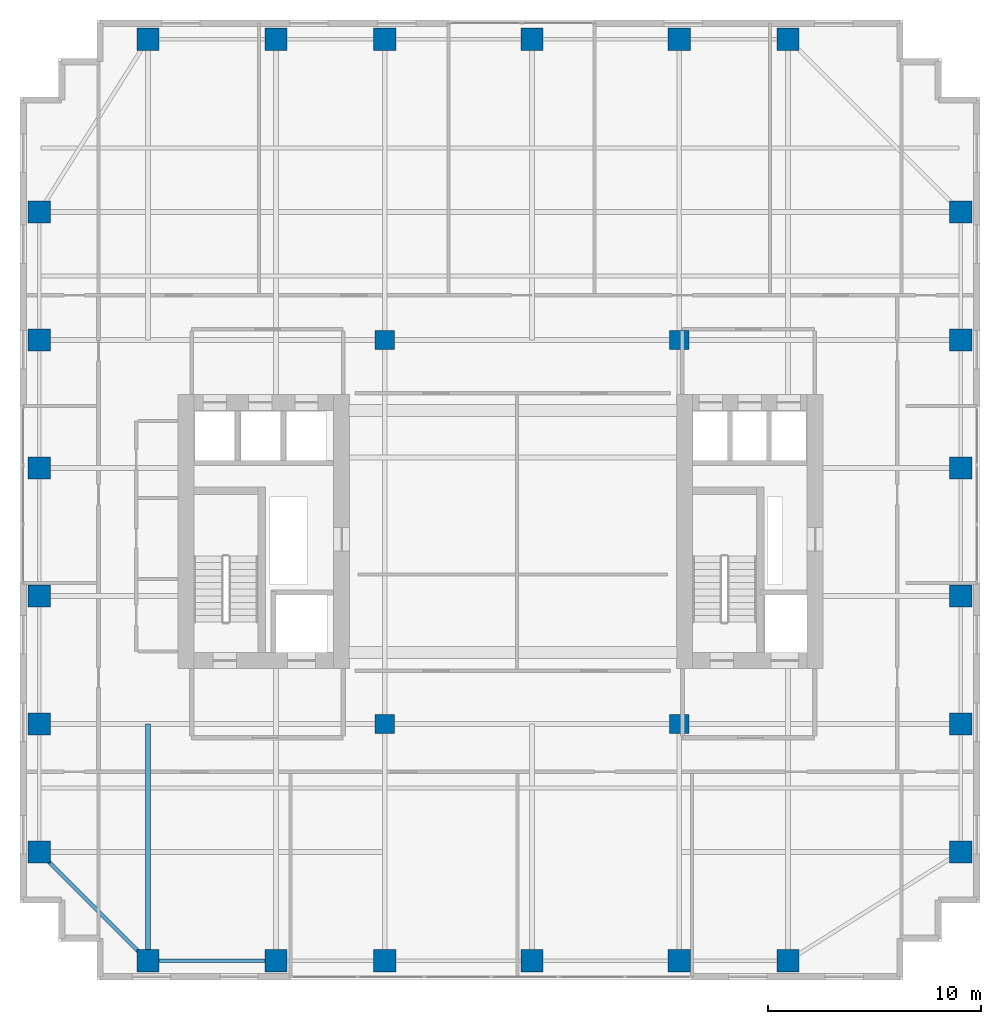
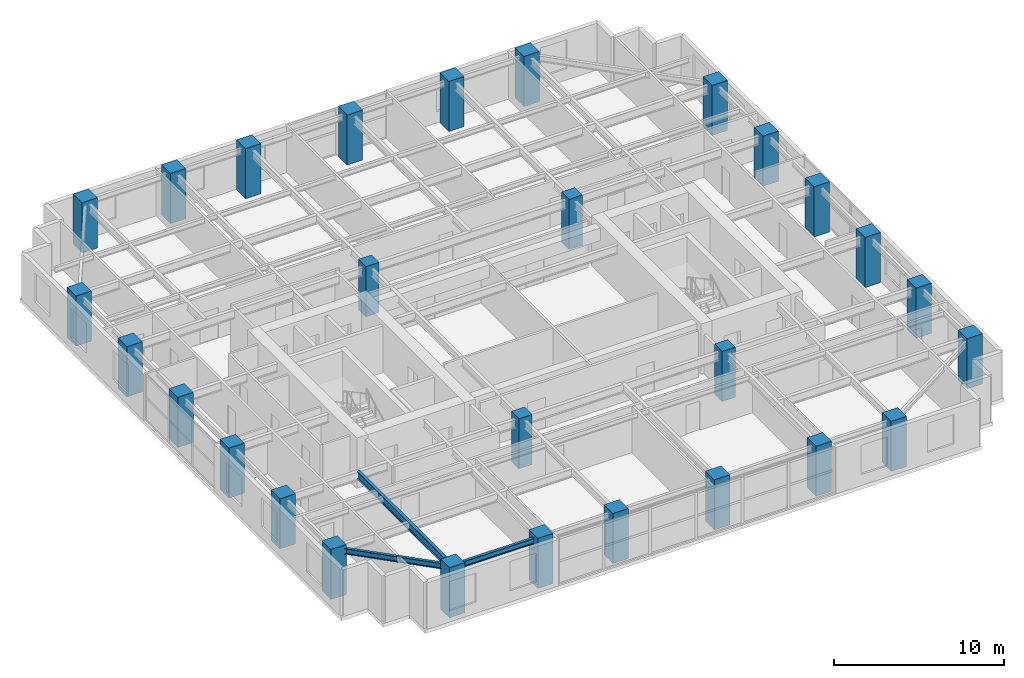
# One storey, part 1 of 18: 28 columns, 3 beams.
"""IFC4 building model written with IfcOpenShell, lengths in metres."""

from ifc_helpers import new_model, si_unit, direction, frame, origin, origin_2d, place, context, subcontext, project, spatial, rectangle, i_section, extrude, source, transform, mapped, material, material_profile, profile_set, type_object, element, save


model = new_model("IFC4")

# Units and contexts
model_context = context("Model", 3, precision=1e-05, world=origin(), true_north=direction((0.0, 1.0)))
body_context = subcontext(model_context, "Body", "Model", "MODEL_VIEW")
ifc_project = project(units=[si_unit("LENGTHUNIT", "METRE"), si_unit("AREAUNIT", "SQUARE_METRE"), si_unit("VOLUMEUNIT", "CUBIC_METRE"), si_unit("PLANEANGLEUNIT", "RADIAN"), si_unit("MASSUNIT", "GRAM", prefix="KILO")], contexts=[model_context])

# Site, building, storey
site_placement = place(None, origin())
site = spatial("IfcSite", under=ifc_project, at=site_placement, CompositionType="ELEMENT")
building_placement = place(site_placement, origin())
building = spatial("IfcBuilding", under=site, at=building_placement, Name="Khoralis Quay Care Tower", CompositionType="ELEMENT")
storey_placement = place(building_placement, frame((0.0, 0.0, 130.5)))
storey = spatial("IfcBuildingStorey", under=building, at=storey_placement, Name="L34", CompositionType="ELEMENT", Elevation=130.5)

# Columns
ifc_material_1 = material(Name="Concrete C65/80", Category="concrete")
ifc_material_profile_1 = material_profile(ifc_material_1, rectangle(XDim=1.050048828125, YDim=1.050048828125, at=origin_2d()), Name="Concrete C65/80")
ifc_profile_set_1 = profile_set([ifc_material_profile_1], Name="Concrete C65/80")
column_type_1 = type_object("IfcColumnType", Name="COL-C1050", PredefinedType="COLUMN", material=ifc_profile_set_1)
shared_shape_1 = source(origin(), body_context, "Body", "SweptSolid", [
    extrude(rectangle(XDim=1.050048828125, YDim=1.050048828125, at=origin_2d()), origin(), (0.0, 0.0, 1.0), 3.60009765625),
])
for number, where, z_axis, x_axis, name in (
    (1, (6.0, 0.89990234375, 0.0), (0.0, 0.0, 1.0), (1.0, 0.0, 0.0), "COL-TWR-L34-01"),
    (2, (6.0, 44.10009765625, 0.0), (0.0, 0.0, 1.0), (1.0, 0.0, 0.0), "COL-TWR-L34-02"),
    (3, (12.0, 0.89990234375, 0.0), (0.0, 0.0, 1.0), (1.0, 0.0, 0.0), "COL-TWR-L34-03"),
    (4, (12.0, 44.10009765625, 0.0), (0.0, 0.0, 1.0), (1.0, 0.0, 0.0), "COL-TWR-L34-04"),
    (5, (17.10009765625, 0.89990234375, 0.0), (0.0, 0.0, 1.0), (1.0, 0.0, 0.0), "COL-TWR-L34-05"),
    (6, (17.10009765625, 44.10009765625, 0.0), (0.0, 0.0, 1.0), (1.0, 0.0, 0.0), "COL-TWR-L34-06"),
    (7, (24.0, 0.89990234375, 0.0), (0.0, 0.0, 1.0), (1.0, 0.0, 0.0), "COL-TWR-L34-07"),
    (8, (24.0, 44.10009765625, 0.0), (0.0, 0.0, 1.0), (1.0, 0.0, 0.0), "COL-TWR-L34-08"),
    (9, (30.89990234375, 0.89990234375, 0.0), (0.0, 0.0, 1.0), (1.0, 0.0, 0.0), "COL-TWR-L34-09"),
    (10, (30.89990234375, 44.10009765625, 0.0), (0.0, 0.0, 1.0), (1.0, 0.0, 0.0), "COL-TWR-L34-10"),
    (11, (36.0, 0.89990234375, 0.0), (0.0, 0.0, 1.0), (1.0, 0.0, 0.0), "COL-TWR-L34-11"),
    (12, (36.0, 44.10009765625, 0.0), (0.0, 0.0, 1.0), (1.0, 0.0, 0.0), "COL-TWR-L34-12"),
    (13, (0.89990234375, 6.0, 0.0), (0.0, 0.0, 1.0), (1.0, 0.0, 0.0), "COL-TWR-L34-13"),
    (14, (44.10009765625, 6.0, 0.0), (0.0, 0.0, 1.0), (1.0, 0.0, 0.0), "COL-TWR-L34-14"),
    (15, (0.89990234375, 12.0, 0.0), (0.0, 0.0, 1.0), (1.0, 0.0, 0.0), "COL-TWR-L34-15"),
    (16, (44.10009765625, 12.0, 0.0), (0.0, 0.0, 1.0), (1.0, 0.0, 0.0), "COL-TWR-L34-16"),
    (17, (0.89990234375, 18.0, 0.0), (0.0, 0.0, 1.0), (1.0, 0.0, 0.0), "COL-TWR-L34-17"),
    (18, (44.10009765625, 18.0, 0.0), (0.0, 0.0, 1.0), (1.0, 0.0, 0.0), "COL-TWR-L34-18"),
    (19, (0.89990234375, 24.0, 0.0), (0.0, 0.0, 1.0), (1.0, 0.0, 0.0), "COL-TWR-L34-19"),
    (20, (44.10009765625, 24.0, 0.0), (0.0, 0.0, 1.0), (1.0, 0.0, 0.0), "COL-TWR-L34-20"),
    (21, (0.89990234375, 30.0, 0.0), (0.0, 0.0, 1.0), (1.0, 0.0, 0.0), "COL-TWR-L34-21"),
    (22, (44.10009765625, 30.0, 0.0), (0.0, 0.0, 1.0), (1.0, 0.0, 0.0), "COL-TWR-L34-22"),
    (23, (0.89990234375, 36.0, 0.0), (0.0, 0.0, 1.0), (1.0, 0.0, 0.0), "COL-TWR-L34-23"),
    (24, (44.10009765625, 36.0, 0.0), (0.0, 0.0, 1.0), (1.0, 0.0, 0.0), "COL-TWR-L34-24"),
):
    element("IfcColumn", number, at=place(storey_placement, frame(where, z_axis=z_axis, x_axis=x_axis)), inside=storey, type_object=column_type_1, Name=name, PredefinedType="COLUMN", context=body_context, shape_type="MappedRepresentation", body=[
        mapped(shared_shape_1, transform((0.0, 0.0, 0.0), scale=1.0)),
    ])
ifc_material_profile_2 = material_profile(ifc_material_1, rectangle(XDim=0.89990234375, YDim=0.89990234375, at=origin_2d()), Name="Concrete C65/80")
ifc_profile_set_2 = profile_set([ifc_material_profile_2], Name="Concrete C65/80")
column_type_2 = type_object("IfcColumnType", Name="COL-C900", PredefinedType="COLUMN", material=ifc_profile_set_2)
shared_shape_2 = source(origin(), body_context, "Body", "SweptSolid", [
    extrude(rectangle(XDim=0.89990234375, YDim=0.89990234375, at=origin_2d()), origin(), (0.0, 0.0, 1.0), 3.60009765625),
])
for number, where, z_axis, x_axis, name in (
    (25, (17.10009765625, 12.0, 0.0), (0.0, 0.0, 1.0), (1.0, 0.0, 0.0), "COL-TWR-L34-25"),
    (26, (17.10009765625, 30.0, 0.0), (0.0, 0.0, 1.0), (1.0, 0.0, 0.0), "COL-TWR-L34-26"),
    (27, (30.89990234375, 12.0, 0.0), (0.0, 0.0, 1.0), (1.0, 0.0, 0.0), "COL-TWR-L34-27"),
    (28, (30.89990234375, 30.0, 0.0), (0.0, 0.0, 1.0), (1.0, 0.0, 0.0), "COL-TWR-L34-28"),
):
    element("IfcColumn", number, at=place(storey_placement, frame(where, z_axis=z_axis, x_axis=x_axis)), inside=storey, type_object=column_type_2, Name=name, PredefinedType="COLUMN", context=body_context, shape_type="MappedRepresentation", body=[
        mapped(shared_shape_2, transform((0.0, 0.0, 0.0), scale=1.0)),
    ])

# Beams
ifc_material_2 = material(Name="Steel S355", Category="steel")
ifc_material_profile_3 = material_profile(ifc_material_2, i_section(OverallWidth=0.179931640625, OverallDepth=0.39990234375, WebThickness=0.008544921875, FlangeThickness=0.013427734375, FilletRadius=0.02099609375, at=origin_2d()), Name="Steel S355")
ifc_profile_set_3 = profile_set([ifc_material_profile_3], Name="Steel S355")
beam_type_1 = type_object("IfcBeamType", Name="BM-IPE400", PredefinedType="SPANDREL", material=ifc_profile_set_3)
shared_shape_3 = source(origin(), body_context, "Body", "SweptSolid", [
    extrude(i_section(OverallWidth=0.179931640625, OverallDepth=0.39990234375, WebThickness=0.008544921875, FlangeThickness=0.013427734375, FilletRadius=0.02099609375, at=origin_2d()), origin(), (0.0, 0.0, 1.0), 6.0),
])
beam_1_placement = place(storey_placement, frame((6.0, 0.89990234375, 3.139892578125), z_axis=(1.0, 0.0, 0.0), x_axis=(0.0, 1.0, 0.0)))
element("IfcBeam", 29, at=beam_1_placement, inside=storey, type_object=beam_type_1, Name="BM-TSP-L34-01", PredefinedType="SPANDREL", context=body_context, shape_type="MappedRepresentation", body=[
    mapped(shared_shape_3, transform((0.0, 0.0, 0.0), scale=1.0)),
])
shared_shape_4 = source(origin(), body_context, "Body", "SweptSolid", [
    extrude(i_section(OverallWidth=0.179931640625, OverallDepth=0.39990234375, WebThickness=0.008544921875, FlangeThickness=0.013427734375, FilletRadius=0.02099609375, at=origin_2d()), origin(), (0.0, 0.0, 1.0), 7.212646484375),
])
beam_2_placement = place(storey_placement, frame((6.0, 0.89990234375, 3.139892578125), z_axis=(-0.707106781187, 0.707106781187, 0.0), x_axis=(-0.707106781187, -0.707106781187, 0.0)))
element("IfcBeam", 30, at=beam_2_placement, inside=storey, type_object=beam_type_1, Name="BM-TCR-L34-21", PredefinedType="SPANDREL", context=body_context, shape_type="MappedRepresentation", body=[
    mapped(shared_shape_4, transform((0.0, 0.0, 0.0), scale=1.0)),
])
ifc_material_profile_4 = material_profile(ifc_material_2, i_section(OverallWidth=0.2119140625, OverallDepth=0.5439453125, WebThickness=0.01318359375, FlangeThickness=0.021240234375, FilletRadius=0.01611328125, at=origin_2d()), Name="Steel S355")
ifc_profile_set_4 = profile_set([ifc_material_profile_4], Name="Steel S355")
beam_type_2 = type_object("IfcBeamType", Name="BM-W530X123", PredefinedType="BEAM", material=ifc_profile_set_4)
shared_shape_5 = source(origin(), body_context, "Body", "SweptSolid", [
    extrude(i_section(OverallWidth=0.2119140625, OverallDepth=0.5439453125, WebThickness=0.01318359375, FlangeThickness=0.021240234375, FilletRadius=0.01611328125, at=origin_2d()), origin(), (0.0, 0.0, 1.0), 11.10009765625),
])
beam_3_placement = place(storey_placement, frame((6.0, 0.89990234375, 3.068115234375), z_axis=(0.0, 1.0, 0.0), x_axis=(-1.0, 0.0, 0.0)))
element("IfcBeam", 31, at=beam_3_placement, inside=storey, type_object=beam_type_2, Name="BM-TGYS-L34-60", PredefinedType="BEAM", context=body_context, shape_type="MappedRepresentation", body=[
    mapped(shared_shape_5, transform((0.0, 0.0, 0.0), scale=1.0)),
])

save(model, "model.ifc")
